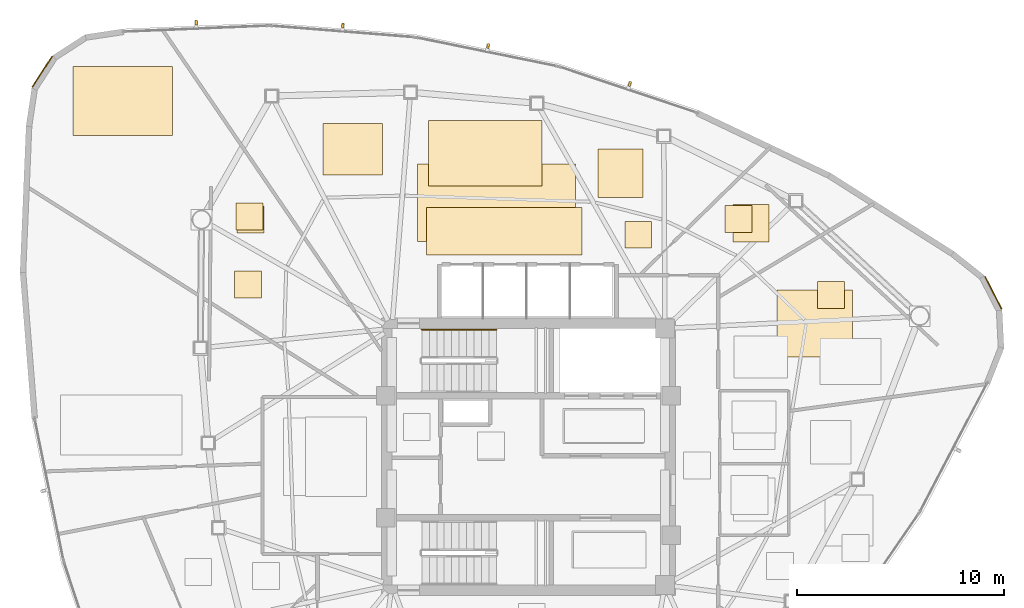
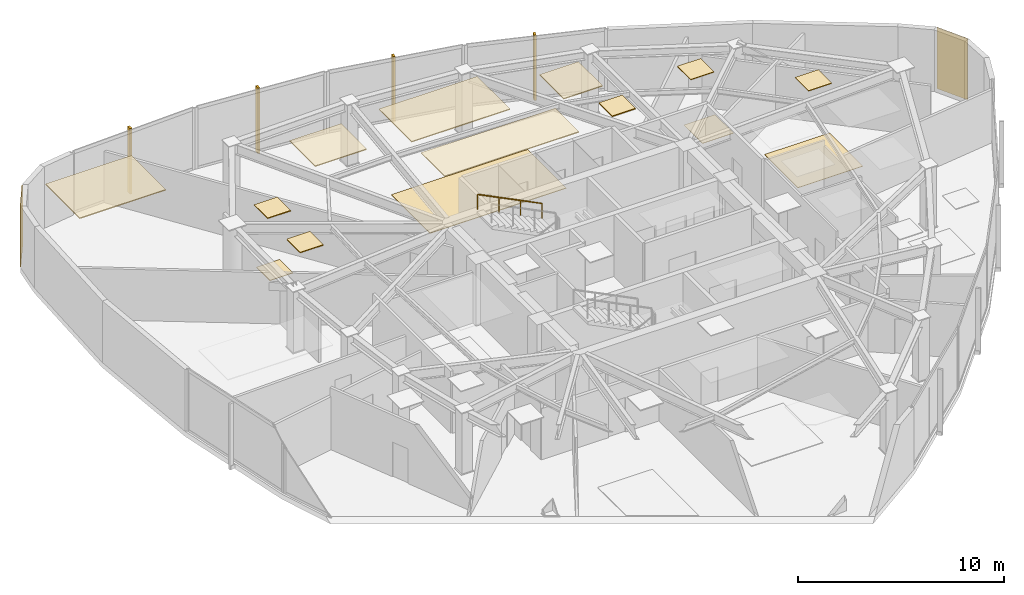
# One storey, part 15 of 15: 16 coverings, 4 shading devices, 1 railing.
"""IFC4 building model written with IfcOpenShell, lengths in metres."""

import ifcopenshell
import ifcopenshell.guid

model = None  # the IFC model being written
_history = None  # IfcOwnerHistory: only IFC2X3 demands one
_inside = {}  # id of a spatial element -> (the spatial element, [elements in it])
_under = {}  # id of a project, library or spatial element -> (it, [spatial elements below it])
_declared = {}  # id of a project -> (the project, [libraries it declares])
_typed = {}  # id of a type object -> (the type object, [elements of that type])
_made_of = {}  # id of a material, layer set ... -> (it, [elements and type objects made of it])


def new_model(schema):
    """Start an empty IFC model of exactly this schema.

    Asked for "IFC4X3", IfcOpenShell would pick the latest addendum, in which some entities
    have other attributes; the version numbers below select the first issue.
    IFC2X3 requires an IfcOwnerHistory on every rooted entity: one is made here for all.
    """
    global model, _history
    if schema == "IFC4X3":
        model = ifcopenshell.file(schema_version=(4, 3, 0, 0))
    else:
        model = ifcopenshell.file(schema=schema)
    _inside.clear()
    _under.clear()
    _declared.clear()
    _typed.clear()
    _made_of.clear()
    _history = None
    if model.schema == "IFC2X3":
        org = make("IfcOrganization", Name="unknown")
        user = make(
            "IfcPersonAndOrganization",
            ThePerson=make("IfcPerson", FamilyName="unknown"),
            TheOrganization=org,
        )
        app = make(
            "IfcApplication",
            ApplicationDeveloper=org,
            Version="unknown",
            ApplicationFullName="unknown",
            ApplicationIdentifier="unknown",
        )
        _history = make(
            "IfcOwnerHistory",
            OwningUser=user,
            OwningApplication=app,
            ChangeAction="ADDED",
            CreationDate=0,
        )
    return model


def make(cls, **values):
    """One entity of the class cls with the attributes given. An attribute that is None is left unset."""
    return model.create_entity(
        cls, **{name: value for name, value in values.items() if value is not None}
    )


def rooted(cls, **values):
    """An entity with a GlobalId (a new one), such as an element, a storey or a relation."""
    return make(cls, GlobalId=ifcopenshell.guid.new(), OwnerHistory=_history, **values)


def si_unit(unit_type, name, prefix=None):
    """IfcSIUnit, for example si_unit("LENGTHUNIT", "METRE", prefix="MILLI")."""
    return make("IfcSIUnit", UnitType=unit_type, Prefix=prefix, Name=name)


def assignment(units):
    """IfcUnitAssignment: the units of a project."""
    return None if units is None else make("IfcUnitAssignment", Units=units)


def point(xyz):
    """IfcCartesianPoint."""
    return None if xyz is None else make("IfcCartesianPoint", Coordinates=xyz)


def direction(xyz):
    """IfcDirection."""
    return None if xyz is None else make("IfcDirection", DirectionRatios=xyz)


def frame(location, z_axis=None, x_axis=None):
    """IfcAxis2Placement3D, a coordinate frame: its origin and axes. An axis left out is left unset."""
    return make(
        "IfcAxis2Placement3D",
        Location=point(location),
        Axis=direction(z_axis),
        RefDirection=direction(x_axis),
    )


def frame_2d(location, x_axis=None):
    """IfcAxis2Placement2D, a coordinate frame in the plane: its origin and x axis."""
    return make(
        "IfcAxis2Placement2D", Location=point(location), RefDirection=direction(x_axis)
    )


def origin():
    """The frame at (0, 0, 0) with its axes left unset."""
    return frame((0.0, 0.0, 0.0))


def origin_2d():
    """The frame at (0, 0) in the plane with its x axis left unset."""
    return frame_2d((0.0, 0.0))


def place(relative_to, where):
    """IfcLocalPlacement: puts the frame where relative to a parent placement (None: the world)."""
    return make(
        "IfcLocalPlacement", PlacementRelTo=relative_to, RelativePlacement=where
    )


def context(
    kind, dimensions, precision=None, world=None, true_north=None, identifier=None
):
    """IfcGeometricRepresentationContext, for example the 3D "Model" context."""
    return make(
        "IfcGeometricRepresentationContext",
        ContextIdentifier=identifier,
        ContextType=kind,
        CoordinateSpaceDimension=dimensions,
        Precision=precision,
        WorldCoordinateSystem=world,
        TrueNorth=true_north,
    )


def subcontext(parent, identifier, kind, view, scale=None):
    """IfcGeometricRepresentationSubContext, for example "Body" below "Model"."""
    return make(
        "IfcGeometricRepresentationSubContext",
        ContextIdentifier=identifier,
        ContextType=kind,
        ParentContext=parent,
        TargetScale=scale,
        TargetView=view,
    )


def project(units=None, contexts=None):
    """IfcProject with its units and contexts."""
    return rooted(
        "IfcProject",
        Name="project",
        RepresentationContexts=contexts,
        UnitsInContext=assignment(units),
    )


def spatial(cls, under=None, at=None, **own):
    """A site, building, storey or space (cls), placed at a placement, below another one or the project."""
    s = rooted(cls, ObjectPlacement=at, **own)
    if under is not None:
        _under.setdefault(under.id(), (under, []))[1].append(s)
    return s


def polyline(points):
    """IfcPolyline through the points."""
    return make("IfcPolyline", Points=[point(p) for p in points])


def profile(cls, at=None, kind="AREA", **sizes):
    """A parametric profile (cls). Its sizes go by their IFC names, for example OverallWidth=200.0."""
    return make(cls, ProfileType=kind, Position=at, **sizes)


def rectangle(**sizes):
    """IfcRectangleProfileDef."""
    return profile("IfcRectangleProfileDef", **sizes)


def outline(outer, holes=None, kind="AREA"):
    """IfcArbitraryClosedProfileDef: a profile drawn as a closed curve; with holes, ...WithVoids."""
    if holes is None:
        return make("IfcArbitraryClosedProfileDef", ProfileType=kind, OuterCurve=outer)
    return make(
        "IfcArbitraryProfileDefWithVoids",
        ProfileType=kind,
        OuterCurve=outer,
        InnerCurves=holes,
    )


def extrude(swept, where, along, depth):
    """IfcExtrudedAreaSolid: the profile swept, set in the frame where, extruded along a direction by depth."""
    return make(
        "IfcExtrudedAreaSolid",
        SweptArea=swept,
        Position=where,
        ExtrudedDirection=direction(along),
        Depth=depth,
    )


def shape(context_of_items, identifier, shape_type, items):
    """IfcShapeRepresentation: the items that make up one representation, for example the "Body"."""
    return make(
        "IfcShapeRepresentation",
        ContextOfItems=context_of_items,
        RepresentationIdentifier=identifier,
        RepresentationType=shape_type,
        Items=items,
    )


def source(mapping_origin, context_of_items, identifier, shape_type, items):
    """IfcRepresentationMap: a shape defined once, which mapped items show again and again."""
    return make(
        "IfcRepresentationMap",
        MappingOrigin=mapping_origin,
        MappedRepresentation=shape(context_of_items, identifier, shape_type, items),
    )


def transform(
    local_origin,
    x_axis=None,
    y_axis=None,
    z_axis=None,
    scale=None,
    scale2=None,
    scale3=None,
    uniform=True,
):
    """IfcCartesianTransformationOperator3D, or its non-uniform kind. x_axis, y_axis, z_axis: its Axis1, 2, 3."""
    if uniform:
        return make(
            "IfcCartesianTransformationOperator3D",
            Axis1=direction(x_axis),
            Axis2=direction(y_axis),
            LocalOrigin=point(local_origin),
            Scale=scale,
            Axis3=direction(z_axis),
        )
    return make(
        "IfcCartesianTransformationOperator3DnonUniform",
        Axis1=direction(x_axis),
        Axis2=direction(y_axis),
        LocalOrigin=point(local_origin),
        Scale=scale,
        Axis3=direction(z_axis),
        Scale2=scale2,
        Scale3=scale3,
    )


def mapped(mapping_source, mapping_target):
    """IfcMappedItem: shows the shape of a source again, moved by a transform."""
    return make(
        "IfcMappedItem", MappingSource=mapping_source, MappingTarget=mapping_target
    )


def material(Name=None, Category=None):
    """IfcMaterial."""
    return make("IfcMaterial", Name=Name, Category=Category)


def layer(
    of_material, thickness, ventilated=None, Name=None, Category=None, Priority=None
):
    """IfcMaterialLayer: one layer of a wall or slab, of a material (None: an air gap)."""
    return make(
        "IfcMaterialLayer",
        Material=of_material,
        LayerThickness=thickness,
        IsVentilated=ventilated,
        Name=Name,
        Category=Category,
        Priority=Priority,
    )


def layer_set(layers, Name=None):
    """IfcMaterialLayerSet."""
    return make("IfcMaterialLayerSet", MaterialLayers=layers, LayerSetName=Name)


def made_of(thing, what):
    """Note that an element or type object is made of a material, layer set ...; save() writes the relation."""
    if what is not None:
        _made_of.setdefault(what.id(), (what, []))[1].append(thing)
    return thing


def type_object(cls, material=None, **own):
    """A type object (cls), such as IfcWallType, which elements share."""
    return made_of(rooted(cls, **own), material)


def type_shapes(of_type, sources):
    """Give a type object the sources (RepresentationMaps) that its elements show as mapped items."""
    of_type.RepresentationMaps = sources


def element(
    cls,
    number,
    at=None,
    inside=None,
    cuts=None,
    type_object=None,
    material=None,
    context=None,
    identifier="Body",
    shape_type=None,
    held_by="IfcProductDefinitionShape",
    body=None,
    shapes=None,
    **own,
):
    """One element of the class cls, such as IfcWall. Its Tag is "e" and its number.

    at: its placement. inside: the storey or other place that contains it. cuts: it is an
    opening in that element (IfcRelVoidsElement). A single representation is given by context,
    identifier, shape_type and body (its items); several are given by shapes. held_by: the class
    of the entity that holds the representations. save() writes the other relations.
    """
    e = rooted(cls, Tag="e%d" % number, ObjectPlacement=at, **own)
    if body is not None:
        shapes = [shape(context, identifier, shape_type, body)]
    if shapes is not None:
        e.Representation = make(held_by, Representations=shapes)
    if inside is not None:
        _inside.setdefault(inside.id(), (inside, []))[1].append(e)
    if cuts is not None:
        rooted(
            "IfcRelVoidsElement", RelatingBuildingElement=cuts, RelatedOpeningElement=e
        )
    if type_object is not None:
        _typed.setdefault(type_object.id(), (type_object, []))[1].append(e)
    return made_of(e, material)


def aggregate(whole, parts):
    """IfcRelAggregates: a whole, such as a stair, and the parts it consists of."""
    return rooted("IfcRelAggregates", RelatingObject=whole, RelatedObjects=parts)


def save(model, path):
    """Write the relations noted so far, then the file.

    IfcRelAggregates (storeys below a building ...), IfcRelContainedInSpatialStructure (elements
    in a storey), IfcRelDefinesByType, IfcRelAssociatesMaterial and IfcRelDeclares: one each for
    every whole, place, type object, material and project.
    """
    for whole, parts in _under.values():
        aggregate(whole, parts)
    for where, things in _inside.values():
        rooted(
            "IfcRelContainedInSpatialStructure",
            RelatedElements=things,
            RelatingStructure=where,
        )
    for kind, things in _typed.values():
        rooted("IfcRelDefinesByType", RelatedObjects=things, RelatingType=kind)
    for what, things in _made_of.values():
        rooted("IfcRelAssociatesMaterial", RelatedObjects=things, RelatingMaterial=what)
    for by, libraries in _declared.values():
        rooted("IfcRelDeclares", RelatingContext=by, RelatedDefinitions=libraries)
    model.write(path)


model = new_model("IFC4")

# Units and contexts
model_context = context("Model", 3, precision=1e-05, world=origin(), true_north=direction((0.0, 1.0)))
body_context = subcontext(model_context, "Body", "Model", "MODEL_VIEW")
ifc_project = project(units=[si_unit("LENGTHUNIT", "METRE"), si_unit("AREAUNIT", "SQUARE_METRE"), si_unit("VOLUMEUNIT", "CUBIC_METRE"), si_unit("PLANEANGLEUNIT", "RADIAN"), si_unit("MASSUNIT", "GRAM", prefix="KILO")], contexts=[model_context])

# Site, building, storey
site_placement = place(None, origin())
site = spatial("IfcSite", under=ifc_project, at=site_placement, CompositionType="ELEMENT")
building_placement = place(site_placement, origin())
building = spatial("IfcBuilding", under=site, at=building_placement, Name="Tavelor Broadcast Tower", CompositionType="ELEMENT")
storey_placement = place(building_placement, frame((0.0, 0.0, 230.050048828125)))
storey = spatial("IfcBuildingStorey", under=building, at=storey_placement, Name="L54", CompositionType="ELEMENT", Elevation=230.050048828125)

# Coverings
ifc_material_1 = material(Name="Copper-Bronze Anodized Aluminium", Category="aluminium")
ifc_layer_1 = layer(ifc_material_1, 0.050048828125)
ifc_layer_set_1 = layer_set([ifc_layer_1], Name="Copper-Bronze Anodized Aluminium")
covering_type_1 = type_object("IfcCoveringType", Name="Champagne-Bronze Corner Pier Metal Cladding 50 mm", PredefinedType="CLADDING", material=ifc_layer_set_1)
for number, where, z_axis, x_axis, name in (
    (1, (26.49755859375, 63.61572265625, 0.02001953125), (0.0, 0.0, 1.0), (-0.542441536663, -0.840093553899, 0.0), "L54 Champagne-Bronze Corner Cladding 03"),
    (2, (72.472900390625, 52.92822265625, 0.02001953125), (0.0, 0.0, 1.0), (-0.4563215909, 0.889814927768, 0.0), "L54 Champagne-Bronze Corner Cladding 23"),
):
    element("IfcCovering", number, at=place(storey_placement, frame(where, z_axis=z_axis, x_axis=x_axis)), inside=storey, type_object=covering_type_1, Name=name, PredefinedType="CLADDING", context=body_context, shape_type="SweptSolid", body=[
        extrude(rectangle(XDim=1.761474609375, YDim=0.050048828125, at=origin_2d()), origin(), (0.0, 0.0, 1.0), 3.610107421875),
    ])

# Railing
ifc_material_2 = material(Name="Steel S355", Category="steel")
railing_type = type_object("IfcRailingType", Name="Continuous Brushed Stainless Handrail 900 mm", PredefinedType="HANDRAIL", material=ifc_material_2)
railing_placement = place(storey_placement, frame((48.449951171875, 51.14990234375, 2.154541015625)))
element("IfcRailing", 3, at=railing_placement, inside=storey, type_object=railing_type, Name="L54 ST1 stair handrail 2", PredefinedType="HANDRAIL", context=body_context, shape_type="SweptSolid", body=[
    extrude(rectangle(XDim=0.048095703125, YDim=0.048095703125, at=origin_2d()), frame((0.0, 0.0, 0.8759765625), z_axis=(-0.894875846893, 0.0, 0.446315156192), x_axis=(0.0, -1.0, 0.0)), (0.0, 0.0, 1.0), 4.022705078125),
    extrude(rectangle(XDim=0.0419921875, YDim=0.0419921875, at=origin_2d()), origin(), (0.0, 0.0, 1.0), 0.851806640625),
    extrude(rectangle(XDim=0.0419921875, YDim=0.0419921875, at=origin_2d()), frame((-1.199951171875, 0.0, 0.598388671875)), (0.0, 0.0, 1.0), 0.851806640625),
    extrude(rectangle(XDim=0.0419921875, YDim=0.0419921875, at=origin_2d()), frame((-2.39990234375, 0.0, 1.197021484375)), (0.0, 0.0, 1.0), 0.851806640625),
    extrude(rectangle(XDim=0.0419921875, YDim=0.0419921875, at=origin_2d()), frame((-3.599853515625, 0.0, 1.79541015625)), (0.0, 0.0, 1.0), 0.851806640625),
])

# Coverings
ifc_material_3 = material(Name="Acoustic Nylon Carpet Tile")
ifc_layer_2 = layer(ifc_material_3, 0.02001953125)
ifc_layer_set_2 = layer_set([ifc_layer_2], Name="Acoustic Nylon Carpet Tile")
covering_type_2 = type_object("IfcCoveringType", Name="Heavy-Duty Acoustic Broadcast Carpet Tile 20 mm", PredefinedType="FLOORING", material=ifc_layer_set_2)
covering_1_placement = place(storey_placement, origin())
element("IfcCovering", 4, at=covering_1_placement, inside=storey, type_object=covering_type_2, Name="L54 Broadcast Floor Finish 0799", PredefinedType="FLOORING", context=body_context, shape_type="SweptSolid", body=[
    extrude(outline(polyline([(59.88330078125, 55.376708984375), (61.62841796875, 55.376708984375), (61.62841796875, 57.1826171875), (59.88330078125, 57.1826171875), (59.88330078125, 55.376708984375)])), origin(), (0.0, 0.0, 1.0), 0.02001953125),
])
covering_2_placement = place(storey_placement, origin())
element("IfcCovering", 5, at=covering_2_placement, inside=storey, type_object=covering_type_2, Name="L54 Broadcast Floor Finish 0800", PredefinedType="FLOORING", context=body_context, shape_type="SweptSolid", body=[
    extrude(outline(polyline([(62.022216796875, 49.818359375), (65.665283203125, 49.818359375), (65.665283203125, 53.061767578125), (62.022216796875, 53.061767578125), (62.022216796875, 49.818359375)])), origin(), (0.0, 0.0, 1.0), 0.02001953125),
])
ifc_material_4 = material(Name="Acoustic Hardwood Studio Flooring", Category="wood")
ifc_layer_3 = layer(ifc_material_4, 0.034912109375)
ifc_layer_set_3 = layer_set([ifc_layer_3], Name="Acoustic Hardwood Studio Flooring")
covering_type_3 = type_object("IfcCoveringType", Name="Isolated Studio Acoustic Elastomeric Floor Finish 35 mm", PredefinedType="FLOORING", material=ifc_layer_set_3)
covering_3_placement = place(storey_placement, origin())
element("IfcCovering", 6, at=covering_3_placement, inside=storey, type_object=covering_type_3, Name="L54 Broadcast Floor Finish 0797", PredefinedType="FLOORING", context=body_context, shape_type="SweptSolid", body=[
    extrude(outline(polyline([(35.91259765625, 55.81591796875), (37.212646484375, 55.81591796875), (37.212646484375, 57.115966796875), (35.91259765625, 57.115966796875), (35.91259765625, 55.81591796875)])), origin(), (0.0, 0.0, 1.0), 0.034912109375),
])
covering_4_placement = place(storey_placement, origin())
element("IfcCovering", 7, at=covering_4_placement, inside=storey, type_object=covering_type_3, Name="L54 Broadcast Floor Finish 0798", PredefinedType="FLOORING", context=body_context, shape_type="SweptSolid", body=[
    extrude(outline(polyline([(44.639892578125, 55.397705078125), (52.266845703125, 55.397705078125), (52.266845703125, 59.154052734375), (44.639892578125, 59.154052734375), (44.639892578125, 55.397705078125)])), origin(), (0.0, 0.0, 1.0), 0.034912109375),
])
ifc_material_5 = material(Name="Acoustic Perforated Timber Baffle", Category="wood")
ifc_layer_4 = layer(ifc_material_5, 0.054931640625)
ifc_layer_set_4 = layer_set([ifc_layer_4], Name="Acoustic Perforated Timber Baffle")
covering_type_4 = type_object("IfcCoveringType", Name="Micro-Perforated Acoustic Baffle Studio Ceiling 55 mm", PredefinedType="CEILING", material=ifc_layer_set_4)
covering_5_placement = place(storey_placement, frame((0.0, 0.0, 3.594970703125)))
element("IfcCovering", 8, at=covering_5_placement, inside=storey, type_object=covering_type_4, Name="L54 Suspended Acoustic Ceiling 2151", PredefinedType="CEILING", context=body_context, shape_type="SweptSolid", body=[
    extrude(outline(polyline([(27.981689453125, 60.5263671875), (32.803955078125, 60.5263671875), (32.803955078125, 63.857421875), (27.981689453125, 63.857421875), (27.981689453125, 60.5263671875)])), origin(), (0.0, 0.0, 1.0), 0.054931640625),
])
covering_6_placement = place(storey_placement, frame((0.0, 0.0, 3.594970703125)))
element("IfcCovering", 9, at=covering_6_placement, inside=storey, type_object=covering_type_4, Name="L54 Suspended Acoustic Ceiling 2152", PredefinedType="CEILING", context=body_context, shape_type="SweptSolid", body=[
    extrude(outline(polyline([(35.868896484375, 55.96875), (37.1689453125, 55.96875), (37.1689453125, 57.268798828125), (35.868896484375, 57.268798828125), (35.868896484375, 55.96875)])), origin(), (0.0, 0.0, 1.0), 0.054931640625),
])
covering_7_placement = place(storey_placement, frame((0.0, 0.0, 3.594970703125)))
element("IfcCovering", 10, at=covering_7_placement, inside=storey, type_object=covering_type_4, Name="L54 Suspended Acoustic Ceiling 2153", PredefinedType="CEILING", context=body_context, shape_type="SweptSolid", body=[
    extrude(outline(polyline([(35.791015625, 52.667236328125), (37.091064453125, 52.667236328125), (37.091064453125, 53.96728515625), (35.791015625, 53.96728515625), (35.791015625, 52.667236328125)])), origin(), (0.0, 0.0, 1.0), 0.054931640625),
])
covering_8_placement = place(storey_placement, frame((0.0, 0.0, 3.594970703125)))
element("IfcCovering", 11, at=covering_8_placement, inside=storey, type_object=covering_type_4, Name="L54 Suspended Acoustic Ceiling 2154", PredefinedType="CEILING", context=body_context, shape_type="SweptSolid", body=[
    extrude(outline(polyline([(54.6611328125, 55.07958984375), (55.961181640625, 55.07958984375), (55.961181640625, 56.37939453125), (54.6611328125, 56.37939453125), (54.6611328125, 55.07958984375)])), origin(), (0.0, 0.0, 1.0), 0.054931640625),
])
covering_9_placement = place(storey_placement, frame((0.0, 0.0, 3.594970703125)))
element("IfcCovering", 12, at=covering_9_placement, inside=storey, type_object=covering_type_4, Name="L54 Suspended Acoustic Ceiling 2155", PredefinedType="CEILING", context=body_context, shape_type="SweptSolid", body=[
    extrude(outline(polyline([(45.081787109375, 54.744140625), (52.593505859375, 54.744140625), (52.593505859375, 57.0380859375), (45.081787109375, 57.0380859375), (45.081787109375, 54.744140625)])), origin(), (0.0, 0.0, 1.0), 0.054931640625),
])
covering_10_placement = place(storey_placement, frame((0.0, 0.0, 3.594970703125)))
element("IfcCovering", 13, at=covering_10_placement, inside=storey, type_object=covering_type_4, Name="L54 Suspended Acoustic Ceiling 2156", PredefinedType="CEILING", context=body_context, shape_type="SweptSolid", body=[
    extrude(outline(polyline([(53.365478515625, 57.541259765625), (55.54296875, 57.541259765625), (55.54296875, 59.880615234375), (53.365478515625, 59.880615234375), (53.365478515625, 57.541259765625)])), origin(), (0.0, 0.0, 1.0), 0.054931640625),
])
covering_11_placement = place(storey_placement, frame((0.0, 0.0, 3.594970703125)))
element("IfcCovering", 14, at=covering_11_placement, inside=storey, type_object=covering_type_4, Name="L54 Suspended Acoustic Ceiling 2157", PredefinedType="CEILING", context=body_context, shape_type="SweptSolid", body=[
    extrude(outline(polyline([(45.157470703125, 58.081787109375), (50.666015625, 58.081787109375), (50.666015625, 61.25537109375), (45.157470703125, 61.25537109375), (45.157470703125, 58.081787109375)])), origin(), (0.0, 0.0, 1.0), 0.054931640625),
])
covering_12_placement = place(storey_placement, frame((0.0, 0.0, 3.594970703125)))
element("IfcCovering", 15, at=covering_12_placement, inside=storey, type_object=covering_type_4, Name="L54 Suspended Acoustic Ceiling 2158", PredefinedType="CEILING", context=body_context, shape_type="SweptSolid", body=[
    extrude(outline(polyline([(40.068359375, 58.62890625), (42.954833984375, 58.62890625), (42.954833984375, 61.10546875), (40.068359375, 61.10546875), (40.068359375, 58.62890625)])), origin(), (0.0, 0.0, 1.0), 0.054931640625),
])
ifc_material_6 = material(Name="Acoustic Mineral Fibre Tile")
ifc_layer_5 = layer(ifc_material_6, 0.0400390625)
ifc_layer_set_5 = layer_set([ifc_layer_5], Name="Acoustic Mineral Fibre Tile")
covering_type_5 = type_object("IfcCoveringType", Name="Suspended Acoustic Mineral-Fibre Office Ceiling 40 mm", PredefinedType="CEILING", material=ifc_layer_set_5)
covering_13_placement = place(storey_placement, frame((0.0, 0.0, 3.60986328125)))
element("IfcCovering", 16, at=covering_13_placement, inside=storey, type_object=covering_type_5, Name="L54 Suspended Acoustic Ceiling 2159", PredefinedType="CEILING", context=body_context, shape_type="SweptSolid", body=[
    extrude(outline(polyline([(59.499267578125, 55.850341796875), (60.79931640625, 55.850341796875), (60.79931640625, 57.150390625), (59.499267578125, 57.150390625), (59.499267578125, 55.850341796875)])), origin(), (0.0, 0.0, 1.0), 0.0400390625),
])
covering_14_placement = place(storey_placement, frame((0.0, 0.0, 3.60986328125)))
element("IfcCovering", 17, at=covering_14_placement, inside=storey, type_object=covering_type_5, Name="L54 Suspended Acoustic Ceiling 2160", PredefinedType="CEILING", context=body_context, shape_type="SweptSolid", body=[
    extrude(outline(polyline([(63.973388671875, 52.175537109375), (65.2734375, 52.175537109375), (65.2734375, 53.4755859375), (63.973388671875, 53.4755859375), (63.973388671875, 52.175537109375)])), origin(), (0.0, 0.0, 1.0), 0.0400390625),
])

# Shading devices
ifc_material_7 = material(Name="Kiln-Fired Glazed Terracotta", Category="masonry")
shading_device_type = type_object("IfcShadingDeviceType", Name="Extruded Terracotta Baguette Sun-Screen 110x240", PredefinedType="JALOUSIE", material=ifc_material_7)
shared_shape = source(origin(), body_context, "Body", "SweptSolid", [
    extrude(rectangle(XDim=0.110107421875, YDim=0.239990234375, at=origin_2d()), origin(), (0.0, 0.0, 1.0), 3.889892578125),
])
type_shapes(shading_device_type, [shared_shape])
for number, where, z_axis, x_axis, name in (
    (18, (54.90087890625, 63.0263671875, -0.259765625), (0.0, 0.0, 1.0), (-0.948434357648, 0.316973609677, 0.0), "L54 Terracotta Baguette Fin 561"),
    (19, (48.05126953125, 64.86181640625, -0.259765625), (0.0, 0.0, 1.0), (-0.979855052384, 0.199709980514, 0.0), "L54 Terracotta Baguette Fin 562"),
    (20, (41.02978515625, 65.854736328125, -0.259765625), (0.0, 0.0, 1.0), (-0.996820733877, 0.079677001159, 0.0), "L54 Terracotta Baguette Fin 563"),
    (21, (33.939697265625, 65.99072265625, -0.259765625), (0.0, 0.0, 1.0), (-0.999137386589, -0.041526891525, 0.0), "L54 Terracotta Baguette Fin 564"),
):
    element("IfcShadingDevice", number, at=place(storey_placement, frame(where, z_axis=z_axis, x_axis=x_axis)), inside=storey, type_object=shading_device_type, Name=name, PredefinedType="JALOUSIE", context=body_context, shape_type="MappedRepresentation", body=[
        mapped(shared_shape, transform((0.0, 0.0, 0.0), scale=1.0)),
    ])

save(model, "model.ifc")
